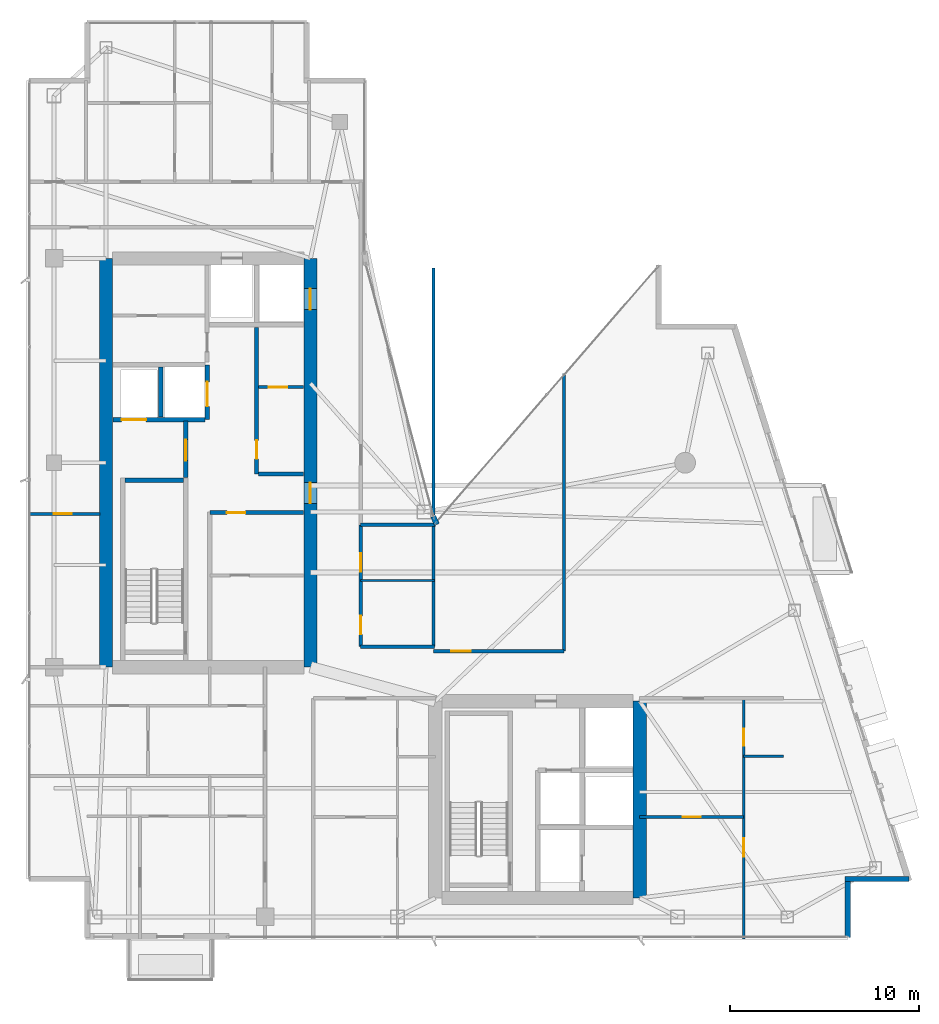
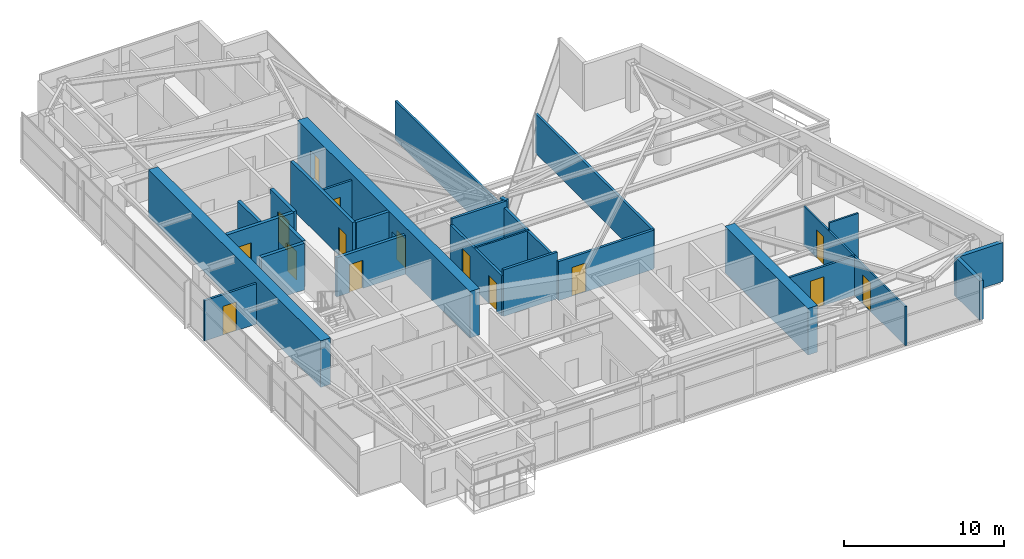
# One storey, part 25 of 29: 27 walls, 15 doors, 15 openings.
"""IFC4 building model written with IfcOpenShell, lengths in metres."""

from ifc_helpers import new_model, si_unit, direction, frame, frame_2d, origin, place, context, subcontext, project, spatial, rectangle, extrude, material, layer, layer_set, type_object, element, fill, save


model = new_model("IFC4")

# Units and contexts
model_context = context("Model", 3, precision=1e-05, world=origin(), true_north=direction((0.0, 1.0)))
body_context = subcontext(model_context, "Body", "Model", "MODEL_VIEW")
ifc_project = project(units=[si_unit("LENGTHUNIT", "METRE"), si_unit("AREAUNIT", "SQUARE_METRE"), si_unit("VOLUMEUNIT", "CUBIC_METRE"), si_unit("PLANEANGLEUNIT", "RADIAN"), si_unit("MASSUNIT", "GRAM", prefix="KILO")], contexts=[model_context])

# Site, building, storey
site_placement = place(None, origin())
site = spatial("IfcSite", under=ifc_project, at=site_placement, CompositionType="ELEMENT")
building_placement = place(site_placement, origin())
building = spatial("IfcBuilding", under=site, at=building_placement, Name="Calvorn Quay Hotel", CompositionType="ELEMENT")
storey_placement = place(building_placement, frame((0.0, 0.0, 255.199951171875)))
storey = spatial("IfcBuildingStorey", under=building, at=storey_placement, Name="L63", CompositionType="ELEMENT", Elevation=255.199951171875)

# Wall
ifc_material_1 = material(Name="Concrete C45", Category="concrete")
ifc_layer_1 = layer(ifc_material_1, 0.699951171875)
ifc_layer_set_1 = layer_set([ifc_layer_1], Name="WL-CORE-700")
wall_type_1 = type_object("IfcWallType", Name="WL-CORE-700", PredefinedType="SHEAR", material=ifc_layer_set_1)
wall_1_placement = place(storey_placement, frame((4.199951171875, 16.800048828125, 0.0), z_axis=(0.0, 0.0, 1.0), x_axis=(0.0, 1.0, 0.0)))
element("IfcWall", 1, at=wall_1_placement, inside=storey, type_object=wall_type_1, Name="West Core Shear Wall W (L63)", PredefinedType="SHEAR", context=body_context, shape_type="SweptSolid", body=[
    extrude(rectangle(XDim=21.599853515625, YDim=0.699951171875, at=frame_2d((10.7998046875, 0.0))), origin(), (0.0, 0.0, 1.0), 3.56005859375),
])

# Wall, openings, doors
wall_2_placement = place(storey_placement, frame((15.0, 16.800048828125, 0.0), z_axis=(0.0, 0.0, 1.0), x_axis=(0.0, 1.0, 0.0)))
wall_2 = element("IfcWall", 2, at=wall_2_placement, inside=storey, type_object=wall_type_1, Name="West Core Shear Wall E (L63)", PredefinedType="SHEAR", context=body_context, shape_type="SweptSolid", body=[
    extrude(rectangle(XDim=21.599853515625, YDim=0.699951171875, at=frame_2d((10.7998046875, 0.0))), origin(), (0.0, 0.0, 1.0), 3.56005859375),
])
opening_1_placement = place(wall_2_placement, frame((8.64990234375, 0.0, 0.0)))
opening_1 = element("IfcOpeningElement", 3, at=opening_1_placement, cuts=wall_2, Name="Opening D-L63-CW1", PredefinedType="OPENING", context=body_context, shape_type="SweptSolid", body=[
    extrude(rectangle(XDim=1.10009765625, YDim=2.199951171875, at=frame_2d((0.550048828125, 1.10009765625))), frame((0.0, 0.35986328125, 0.0), z_axis=(0.0, -1.0, 0.0), x_axis=(1.0, 0.0, 0.0)), (0.0, 0.0, 1.0), 0.719970703125),
])
opening_2_placement = place(wall_2_placement, frame((18.89990234375, 0.0, 0.0)))
opening_2 = element("IfcOpeningElement", 4, at=opening_2_placement, cuts=wall_2, Name="Opening LD-L63-H1", PredefinedType="OPENING", context=body_context, shape_type="SweptSolid", body=[
    extrude(rectangle(XDim=1.10009765625, YDim=2.199951171875, at=frame_2d((0.550048828125, 1.10009765625))), frame((0.0, 0.35986328125, 0.0), z_axis=(0.0, -1.0, 0.0), x_axis=(1.0, 0.0, 0.0)), (0.0, 0.0, 1.0), 0.719970703125),
])
ifc_material_2 = material(Name="Smoke-Sealed Steel Class A Fire Door", Category="steel")
door_type_1 = type_object("IfcDoorType", Name="DR-FFLOBBY-1100", OperationType="NOTDEFINED", PredefinedType="DOOR", material=ifc_material_2)
door_1_placement = place(opening_1_placement, origin())
door_1 = element("IfcDoor", 5, at=door_1_placement, inside=storey, type_object=door_type_1, Name="West Core Vestibule Fire Door (L63)", OperationType="SINGLE_SWING_RIGHT", OverallHeight=2.199951171875, OverallWidth=1.10009765625, PredefinedType="DOOR", context=body_context, shape_type="SweptSolid", body=[
    extrude(rectangle(XDim=1.10009765625, YDim=2.199951171875, at=frame_2d((0.550048828125, 1.10009765625))), frame((0.0, 0.02490234375, 0.0), z_axis=(0.0, -1.0, 0.0), x_axis=(1.0, 0.0, 0.0)), (0.0, 0.0, 1.0), 0.050048828125),
])
fill(opening_1, door_1)
ifc_material_3 = material(Name="Brushed Stainless Steel Sliding Lift Landing Door", Category="steel")
door_type_2 = type_object("IfcDoorType", Name="DR-LIFT-PASS-1100", OperationType="NOTDEFINED", PredefinedType="DOOR", material=ifc_material_3)
door_2_placement = place(opening_2_placement, origin())
door_2 = element("IfcDoor", 6, at=door_2_placement, inside=storey, type_object=door_type_2, Name="High-Rise Lift PL-H1 Landing Door (L63)", OperationType="DOUBLE_DOOR_SLIDING", OverallHeight=2.199951171875, OverallWidth=1.10009765625, PredefinedType="DOOR", context=body_context, shape_type="SweptSolid", body=[
    extrude(rectangle(XDim=1.10009765625, YDim=2.199951171875, at=frame_2d((0.550048828125, 1.10009765625))), frame((0.0, 0.02490234375, 0.0), z_axis=(0.0, -1.0, 0.0), x_axis=(1.0, 0.0, 0.0)), (0.0, 0.0, 1.0), 0.050048828125),
])
fill(opening_2, door_2)

# Walls
wall_3_placement = place(storey_placement, frame((32.39990234375, 4.60009765625, 0.0), z_axis=(0.0, 0.0, 1.0), x_axis=(0.0, 1.0, 0.0)))
element("IfcWall", 7, at=wall_3_placement, inside=storey, type_object=wall_type_1, Name="East Core Shear Wall E (L63)", PredefinedType="SHEAR", context=body_context, shape_type="SweptSolid", body=[
    extrude(rectangle(XDim=10.39990234375, YDim=0.699951171875, at=frame_2d((5.199951171875, 0.0))), origin(), (0.0, 0.0, 1.0), 3.56005859375),
])
ifc_material_4 = material(Name="Acoustic Fireboard Steel-Stud Partition", Category="steel")
ifc_layer_2 = layer(ifc_material_4, 0.179931640625)
ifc_layer_set_2 = layer_set([ifc_layer_2], Name="WL-CORR-FIRE-180")
wall_type_2 = type_object("IfcWallType", Name="WL-CORR-FIRE-180", PredefinedType="PARTITIONING", material=ifc_layer_set_2)
wall_4_placement = place(storey_placement, frame((17.64990234375, 17.8798828125, 0.0), z_axis=(0.0, 0.0, 1.0), x_axis=(1.0, 0.0, 0.0)))
element("IfcWall", 8, at=wall_4_placement, inside=storey, type_object=wall_type_2, Name="Partition Wall L63-WL-HK-S", PredefinedType="PARTITIONING", context=body_context, shape_type="SweptSolid", body=[
    extrude(rectangle(XDim=3.900146484375, YDim=0.179931640625, at=frame_2d((1.9501953125, 0.0))), origin(), (0.0, 0.0, 1.0), 3.56005859375),
])
wall_5_placement = place(storey_placement, frame((17.64990234375, 24.320068359375, 0.0), z_axis=(0.0, 0.0, 1.0), x_axis=(1.0, 0.0, 0.0)))
element("IfcWall", 9, at=wall_5_placement, inside=storey, type_object=wall_type_2, Name="Partition Wall L63-WL-HK-N", PredefinedType="PARTITIONING", context=body_context, shape_type="SweptSolid", body=[
    extrude(rectangle(XDim=3.9501953125, YDim=0.179931640625, at=frame_2d((1.97509765625, 0.0))), origin(), (0.0, 0.0, 1.0), 3.56005859375),
])
wall_6_placement = place(storey_placement, frame((21.5, 17.8798828125, 0.0), z_axis=(0.0, 0.0, 1.0), x_axis=(0.0, 1.0, 0.0)))
element("IfcWall", 10, at=wall_6_placement, inside=storey, type_object=wall_type_2, Name="Partition Wall L63-WL-HK-E", PredefinedType="PARTITIONING", context=body_context, shape_type="SweptSolid", body=[
    extrude(rectangle(XDim=6.440185546875, YDim=0.179931640625, at=frame_2d((3.22021484375, 0.0))), origin(), (0.0, 0.0, 1.0), 3.090087890625),
])

# Wall, openings, doors
wall_7_placement = place(storey_placement, frame((17.64990234375, 17.8798828125, 0.0), z_axis=(0.0, 0.0, 1.0), x_axis=(0.0, 1.0, 0.0)))
wall_7 = element("IfcWall", 11, at=wall_7_placement, inside=storey, type_object=wall_type_2, Name="Partition Wall L63-WL-HK-W", PredefinedType="PARTITIONING", context=body_context, shape_type="SweptSolid", body=[
    extrude(rectangle(XDim=6.440185546875, YDim=0.179931640625, at=frame_2d((3.22021484375, 0.0))), origin(), (0.0, 0.0, 1.0), 3.090087890625),
])
opening_3_placement = place(wall_7_placement, frame((0.64990234375, 0.0, 0.0)))
opening_3 = element("IfcOpeningElement", 12, at=opening_3_placement, cuts=wall_7, Name="Opening D-L63-HK", PredefinedType="OPENING", context=body_context, shape_type="SweptSolid", body=[
    extrude(rectangle(XDim=0.97998046875, YDim=2.14990234375, at=frame_2d((0.489990234375, 1.074951171875))), frame((0.0, 0.099853515625, 0.0), z_axis=(0.0, -1.0, 0.0), x_axis=(1.0, 0.0, 0.0)), (0.0, 0.0, 1.0), 0.199951171875),
])
opening_4_placement = place(wall_7_placement, frame((3.969970703125, 0.0, 0.0)))
opening_4 = element("IfcOpeningElement", 13, at=opening_4_placement, cuts=wall_7, Name="Opening D-L63-NCP", PredefinedType="OPENING", context=body_context, shape_type="SweptSolid", body=[
    extrude(rectangle(XDim=0.9599609375, YDim=2.199951171875, at=frame_2d((0.47998046875, 1.10009765625))), frame((0.0, 0.099853515625, 0.0), z_axis=(0.0, -1.0, 0.0), x_axis=(1.0, 0.0, 0.0)), (0.0, 0.0, 1.0), 0.199951171875),
])
ifc_material_5 = material(Name="Painted Steel Housekeeping/Riser Fire Door", Category="steel")
door_type_3 = type_object("IfcDoorType", Name="DR-SERVICE-980", OperationType="NOTDEFINED", PredefinedType="DOOR", material=ifc_material_5)
door_3_placement = place(opening_3_placement, origin())
door_3 = element("IfcDoor", 14, at=door_3_placement, inside=storey, type_object=door_type_3, Name="Floor Housekeeping Door (L63)", OperationType="SINGLE_SWING_LEFT", OverallHeight=2.14990234375, OverallWidth=0.97998046875, PredefinedType="DOOR", context=body_context, shape_type="SweptSolid", body=[
    extrude(rectangle(XDim=0.97998046875, YDim=2.14990234375, at=frame_2d((0.489990234375, 1.074951171875))), frame((0.0, 0.02490234375, 0.0), z_axis=(0.0, -1.0, 0.0), x_axis=(1.0, 0.0, 0.0)), (0.0, 0.0, 1.0), 0.050048828125),
])
fill(opening_3, door_3)
ifc_material_6 = material(Name="Solid Timber Internal Suite Door", Category="wood")
door_type_4 = type_object("IfcDoorType", Name="DR-SUITE-INT-960", OperationType="NOTDEFINED", PredefinedType="DOOR", material=ifc_material_6)
door_4_placement = place(opening_4_placement, origin())
door_4 = element("IfcDoor", 15, at=door_4_placement, inside=storey, type_object=door_type_4, Name="Reading Alcove Door (L63)", OperationType="SINGLE_SWING_RIGHT", OverallHeight=2.199951171875, OverallWidth=0.9599609375, PredefinedType="DOOR", context=body_context, shape_type="SweptSolid", body=[
    extrude(rectangle(XDim=0.9599609375, YDim=2.199951171875, at=frame_2d((0.47998046875, 1.10009765625))), frame((0.0, 0.02490234375, 0.0), z_axis=(0.0, -1.0, 0.0), x_axis=(1.0, 0.0, 0.0)), (0.0, 0.0, 1.0), 0.050048828125),
])
fill(opening_4, door_4)

# Wall, opening, door
wall_8_placement = place(storey_placement, frame((21.5, 17.64990234375, 0.0), z_axis=(0.0, 0.0, 1.0), x_axis=(1.0, 0.0, 0.0)))
wall_8 = element("IfcWall", 16, at=wall_8_placement, inside=storey, type_object=wall_type_2, Name="Partition Wall L63-WL-CORR-NE-N", PredefinedType="PARTITIONING", context=body_context, shape_type="SweptSolid", body=[
    extrude(rectangle(XDim=6.89990234375, YDim=0.179931640625, at=frame_2d((3.449951171875, 0.0))), origin(), (0.0, 0.0, 1.0), 2.989990234375),
])
opening_5_placement = place(wall_8_placement, frame((0.949951171875, 0.0, 0.0)))
opening_5 = element("IfcOpeningElement", 17, at=opening_5_placement, cuts=wall_8, Name="Opening D-L63-NS1", PredefinedType="OPENING", context=body_context, shape_type="SweptSolid", body=[
    extrude(rectangle(XDim=1.02001953125, YDim=2.199951171875, at=frame_2d((0.510009765625, 1.10009765625))), frame((0.0, 0.099853515625, 0.0), z_axis=(0.0, -1.0, 0.0), x_axis=(1.0, 0.0, 0.0)), (0.0, 0.0, 1.0), 0.199951171875),
])
ifc_material_7 = material(Name="Solid-Core Walnut Veneer Hotel Fire Door")
door_type_5 = type_object("IfcDoorType", Name="DR-GUEST-ENTRY-1020", OperationType="NOTDEFINED", PredefinedType="DOOR", material=ifc_material_7)
door_5_placement = place(opening_5_placement, origin())
door_5 = element("IfcDoor", 18, at=door_5_placement, inside=storey, type_object=door_type_5, Name="Conservatory Salon Door 1 (L63)", OperationType="SINGLE_SWING_RIGHT", OverallHeight=2.199951171875, OverallWidth=1.02001953125, PredefinedType="DOOR", context=body_context, shape_type="SweptSolid", body=[
    extrude(rectangle(XDim=1.02001953125, YDim=2.199951171875, at=frame_2d((0.510009765625, 1.10009765625))), frame((0.0, 0.02490234375, 0.0), z_axis=(0.0, -1.0, 0.0), x_axis=(1.0, 0.0, 0.0)), (0.0, 0.0, 1.0), 0.050048828125),
])
fill(opening_5, door_5)

# Walls
wall_9_placement = place(storey_placement, frame((28.39990234375, 17.64990234375, 0.0), z_axis=(0.0, 0.0, 1.0), x_axis=(0.0, 1.0, 0.0)))
element("IfcWall", 19, at=wall_9_placement, inside=storey, type_object=wall_type_2, Name="Partition Wall L63-WL-NE-END-E", PredefinedType="PARTITIONING", context=body_context, shape_type="SweptSolid", body=[
    extrude(rectangle(XDim=14.670166015625, YDim=0.179931640625, at=frame_2d((7.3349609375, 0.0))), origin(), (0.0, 0.0, 1.0), 2.989990234375),
])
ifc_material_8 = material(Name="Moisture-Resistant Tile-Backed Partition")
ifc_layer_3 = layer(ifc_material_8, 0.125)
ifc_layer_set_3 = layer_set([ifc_layer_3], Name="WL-ENSUITE-125")
wall_type_3 = type_object("IfcWallType", Name="WL-ENSUITE-125", PredefinedType="PARTITIONING", material=ifc_layer_set_3)
wall_10_placement = place(storey_placement, frame((17.64990234375, 21.3798828125, 0.0), z_axis=(0.0, 0.0, 1.0), x_axis=(1.0, 0.0, 0.0)))
element("IfcWall", 20, at=wall_10_placement, inside=storey, type_object=wall_type_3, Name="Partition Wall L63-WL-HK-M", PredefinedType="PARTITIONING", context=body_context, shape_type="SweptSolid", body=[
    extrude(rectangle(XDim=3.900146484375, YDim=0.125, at=frame_2d((1.9501953125, 0.0))), origin(), (0.0, 0.0, 1.0), 3.090087890625),
])
wall_11_placement = place(storey_placement, frame((37.889892578125, 12.10009765625, 0.0), z_axis=(0.0, 0.0, 1.0), x_axis=(1.0, 0.0, 0.0)))
element("IfcWall", 21, at=wall_11_placement, inside=storey, type_object=wall_type_3, Name="Partition Wall L63-WL-U06-BDV", PredefinedType="PARTITIONING", context=body_context, shape_type="SweptSolid", body=[
    extrude(rectangle(XDim=2.110107421875, YDim=0.125, at=frame_2d((1.05517578125, 0.0))), origin(), (0.0, 0.0, 1.0), 3.56005859375),
])

# Wall, openings, doors
wall_12_placement = place(storey_placement, frame((37.889892578125, 2.43994140625, 0.0), z_axis=(0.0, 0.0, 1.0), x_axis=(0.0, 1.0, 0.0)))
wall_12 = element("IfcWall", 22, at=wall_12_placement, inside=storey, type_object=wall_type_3, Name="Partition Wall L63-WL-U06-BV", PredefinedType="PARTITIONING", context=body_context, shape_type="SweptSolid", body=[
    extrude(rectangle(XDim=12.7099609375, YDim=0.125, at=frame_2d((6.35498046875, 0.0))), origin(), (0.0, 0.0, 1.0), 2.989990234375),
])
opening_6_placement = place(wall_12_placement, frame((4.35009765625, 0.0, 0.0)))
opening_6 = element("IfcOpeningElement", 23, at=opening_6_placement, cuts=wall_12, Name="Opening D-L63-S06", PredefinedType="OPENING", context=body_context, shape_type="SweptSolid", body=[
    extrude(rectangle(XDim=0.9599609375, YDim=2.199951171875, at=frame_2d((0.47998046875, 1.10009765625))), frame((0.0, 0.072509765625, 0.0), z_axis=(0.0, -1.0, 0.0), x_axis=(1.0, 0.0, 0.0)), (0.0, 0.0, 1.0), 0.14501953125),
])
opening_7_placement = place(wall_12_placement, frame((10.2099609375, 0.0, 0.0)))
opening_7 = element("IfcOpeningElement", 24, at=opening_7_placement, cuts=wall_12, Name="Opening D-L63-E06", PredefinedType="OPENING", context=body_context, shape_type="SweptSolid", body=[
    extrude(rectangle(XDim=0.89990234375, YDim=2.14990234375, at=frame_2d((0.449951171875, 1.074951171875))), frame((0.0, 0.072509765625, 0.0), z_axis=(0.0, -1.0, 0.0), x_axis=(1.0, 0.0, 0.0)), (0.0, 0.0, 1.0), 0.14501953125),
])
ifc_material_9 = material(Name="Moisture-Sealed Timber En-Suite Door", Category="wood")
door_type_6 = type_object("IfcDoorType", Name="DR-ENSUITE-900", OperationType="NOTDEFINED", PredefinedType="DOOR", material=ifc_material_9)
door_6_placement = place(opening_7_placement, origin())
door_6 = element("IfcDoor", 25, at=door_6_placement, inside=storey, type_object=door_type_6, Name="En-Suite Door 06", OperationType="SINGLE_SWING_RIGHT", OverallHeight=2.14990234375, OverallWidth=0.89990234375, PredefinedType="DOOR", context=body_context, shape_type="SweptSolid", body=[
    extrude(rectangle(XDim=0.89990234375, YDim=2.14990234375, at=frame_2d((0.449951171875, 1.074951171875))), frame((0.0, 0.02490234375, 0.0), z_axis=(0.0, -1.0, 0.0), x_axis=(1.0, 0.0, 0.0)), (0.0, 0.0, 1.0), 0.050048828125),
])
fill(opening_7, door_6)
door_7_placement = place(opening_6_placement, origin())
door_7 = element("IfcDoor", 26, at=door_7_placement, inside=storey, type_object=door_type_4, Name="Children Play Nursery Door 06", OperationType="SINGLE_SWING_LEFT", OverallHeight=2.199951171875, OverallWidth=0.9599609375, PredefinedType="DOOR", context=body_context, shape_type="SweptSolid", body=[
    extrude(rectangle(XDim=0.9599609375, YDim=2.199951171875, at=frame_2d((0.47998046875, 1.10009765625))), frame((0.0, 0.02490234375, 0.0), z_axis=(0.0, -1.0, 0.0), x_axis=(1.0, 0.0, 0.0)), (0.0, 0.0, 1.0), 0.050048828125),
])
fill(opening_6, door_7)

# Walls
ifc_material_10 = material(Name="Concrete C40", Category="concrete")
ifc_layer_4 = layer(ifc_material_10, 0.320068359375)
ifc_layer_set_4 = layer_set([ifc_layer_4], Name="WL-EXT-SPANDREL-320")
wall_type_4 = type_object("IfcWallType", Name="WL-EXT-SPANDREL-320", PredefinedType="SOLIDWALL", material=ifc_layer_set_4)
wall_13_placement = place(storey_placement, frame((21.679931640625, 24.340087890625, 0.0), z_axis=(0.0, 0.0, 1.0), x_axis=(-0.40758134973, 0.913168901875, 0.0)))
element("IfcWall", 27, at=wall_13_placement, inside=storey, type_object=wall_type_4, Name="Inner Court Corner Pier L63-ICJ1", PredefinedType="SOLIDWALL", context=body_context, shape_type="SweptSolid", body=[
    extrude(rectangle(XDim=0.470703125, YDim=0.280029296875, at=frame_2d((0.2353515625, 0.0))), origin(), (0.0, 0.0, 1.0), 3.56005859375),
])
wall_14_placement = place(storey_placement, frame((43.39990234375, 2.52001953125, 0.0), z_axis=(0.0, 0.0, 1.0), x_axis=(0.0, 1.0, 0.0)))
element("IfcWall", 28, at=wall_14_placement, inside=storey, type_object=wall_type_4, Name="Notched Corner Spandrel L63-SE1", PredefinedType="SOLIDWALL", context=body_context, shape_type="SweptSolid", body=[
    extrude(rectangle(XDim=2.93994140625, YDim=0.280029296875, at=frame_2d((1.469970703125, 0.0))), origin(), (0.0, 0.0, 1.0), 2.989990234375),
])
wall_15_placement = place(storey_placement, frame((43.260009765625, 5.60009765625, 0.0), z_axis=(0.0, 0.0, 1.0), x_axis=(1.0, 0.0, 0.0)))
element("IfcWall", 29, at=wall_15_placement, inside=storey, type_object=wall_type_4, Name="Notched Corner Spandrel L63-SE2", PredefinedType="SOLIDWALL", context=body_context, shape_type="SweptSolid", body=[
    extrude(rectangle(XDim=3.3798828125, YDim=0.280029296875, at=frame_2d((1.68994140625, 0.0))), origin(), (0.0, 0.0, 1.0), 2.989990234375),
])

# Wall, opening, door
ifc_material_11 = material(Name="Double-Stud Acoustic Gypsum Partition")
ifc_layer_5 = layer(ifc_material_11, 0.159912109375)
ifc_layer_set_5 = layer_set([ifc_layer_5], Name="WL-INTERSUITE-160")
wall_type_5 = type_object("IfcWallType", Name="WL-INTERSUITE-160", PredefinedType="PARTITIONING", material=ifc_layer_set_5)
wall_16_placement = place(storey_placement, frame((12.25, 31.60009765625, 0.0), z_axis=(0.0, 0.0, 1.0), x_axis=(1.0, 0.0, 0.0)))
wall_16 = element("IfcWall", 30, at=wall_16_placement, inside=storey, type_object=wall_type_5, Name="Partition Wall L63-WL-CWW-FM-SPLIT", PredefinedType="PARTITIONING", context=body_context, shape_type="SweptSolid", body=[
    extrude(rectangle(XDim=2.3798828125, YDim=0.159912109375, at=frame_2d((1.18994140625, 0.0))), origin(), (0.0, 0.0, 1.0), 3.14013671875),
])
opening_8_placement = place(wall_16_placement, frame((0.550048828125, 0.0, 0.0)))
opening_8 = element("IfcOpeningElement", 31, at=opening_8_placement, cuts=wall_16, Name="Opening D-L63-FM2", PredefinedType="OPENING", context=body_context, shape_type="SweptSolid", body=[
    extrude(rectangle(XDim=0.97998046875, YDim=2.14990234375, at=frame_2d((0.489990234375, 1.074951171875))), frame((0.0, 0.08984375, 0.0), z_axis=(0.0, -1.0, 0.0), x_axis=(1.0, 0.0, 0.0)), (0.0, 0.0, 1.0), 0.179931640625),
])
door_8_placement = place(opening_8_placement, origin())
door_8 = element("IfcDoor", 32, at=door_8_placement, inside=storey, type_object=door_type_3, Name="Comms Room Door (L63)", OperationType="SINGLE_SWING_LEFT", OverallHeight=2.14990234375, OverallWidth=0.97998046875, PredefinedType="DOOR", context=body_context, shape_type="SweptSolid", body=[
    extrude(rectangle(XDim=0.97998046875, YDim=2.14990234375, at=frame_2d((0.489990234375, 1.074951171875))), frame((0.0, 0.02490234375, 0.0), z_axis=(0.0, -1.0, 0.0), x_axis=(1.0, 0.0, 0.0)), (0.0, 0.0, 1.0), 0.050048828125),
])
fill(opening_8, door_8)

wall_17_placement = place(storey_placement, frame((0.080078125, 24.89990234375, 0.0), z_axis=(0.0, 0.0, 1.0), x_axis=(1.0, 0.0, 0.0)))
wall_17 = element("IfcWall", 33, at=wall_17_placement, inside=storey, type_object=wall_type_5, Name="Partition Wall L63-WL-WBAY-DIV", PredefinedType="PARTITIONING", context=body_context, shape_type="SweptSolid", body=[
    extrude(rectangle(XDim=3.7998046875, YDim=0.159912109375, at=frame_2d((1.89990234375, 0.0))), origin(), (0.0, 0.0, 1.0), 3.090087890625),
])
opening_9_placement = place(wall_17_placement, frame((1.35009765625, 0.0, 0.0)))
opening_9 = element("IfcOpeningElement", 34, at=opening_9_placement, cuts=wall_17, Name="Opening D-L63-WBD", PredefinedType="OPENING", context=body_context, shape_type="SweptSolid", body=[
    extrude(rectangle(XDim=0.9599609375, YDim=2.199951171875, at=frame_2d((0.47998046875, 1.10009765625))), frame((0.0, 0.08984375, 0.0), z_axis=(0.0, -1.0, 0.0), x_axis=(1.0, 0.0, 0.0)), (0.0, 0.0, 1.0), 0.179931640625),
])
door_9_placement = place(opening_9_placement, origin())
door_9 = element("IfcDoor", 35, at=door_9_placement, inside=storey, type_object=door_type_4, Name="West Bay Connecting Door (L63)", OperationType="SINGLE_SWING_LEFT", OverallHeight=2.199951171875, OverallWidth=0.9599609375, PredefinedType="DOOR", context=body_context, shape_type="SweptSolid", body=[
    extrude(rectangle(XDim=0.9599609375, YDim=2.199951171875, at=frame_2d((0.47998046875, 1.10009765625))), frame((0.0, 0.02490234375, 0.0), z_axis=(0.0, -1.0, 0.0), x_axis=(1.0, 0.0, 0.0)), (0.0, 0.0, 1.0), 0.050048828125),
])
fill(opening_9, door_9)

wall_18_placement = place(storey_placement, frame((32.39990234375, 8.8798828125, 0.0), z_axis=(0.0, 0.0, 1.0), x_axis=(1.0, 0.0, 0.0)))
wall_18 = element("IfcWall", 36, at=wall_18_placement, inside=storey, type_object=wall_type_5, Name="Partition Wall L63-WL-U06-MSP", PredefinedType="PARTITIONING", context=body_context, shape_type="SweptSolid", body=[
    extrude(rectangle(XDim=5.489990234375, YDim=0.159912109375, at=frame_2d((2.7451171875, 0.0))), origin(), (0.0, 0.0, 1.0), 2.989990234375),
])
opening_10_placement = place(wall_18_placement, frame((2.27001953125, 0.0, 0.0)))
opening_10 = element("IfcOpeningElement", 37, at=opening_10_placement, cuts=wall_18, Name="Opening D-L63-M06", PredefinedType="OPENING", context=body_context, shape_type="SweptSolid", body=[
    extrude(rectangle(XDim=0.9599609375, YDim=2.199951171875, at=frame_2d((0.47998046875, 1.10009765625))), frame((0.0, 0.08984375, 0.0), z_axis=(0.0, -1.0, 0.0), x_axis=(1.0, 0.0, 0.0)), (0.0, 0.0, 1.0), 0.179931640625),
])
door_10_placement = place(opening_10_placement, origin())
door_10 = element("IfcDoor", 38, at=door_10_placement, inside=storey, type_object=door_type_4, Name="Suite Bedroom Door 06", OperationType="SINGLE_SWING_LEFT", OverallHeight=2.199951171875, OverallWidth=0.9599609375, PredefinedType="DOOR", context=body_context, shape_type="SweptSolid", body=[
    extrude(rectangle(XDim=0.9599609375, YDim=2.199951171875, at=frame_2d((0.47998046875, 1.10009765625))), frame((0.0, 0.02490234375, 0.0), z_axis=(0.0, -1.0, 0.0), x_axis=(1.0, 0.0, 0.0)), (0.0, 0.0, 1.0), 0.050048828125),
])
fill(opening_10, door_10)

# Wall
wall_19_placement = place(storey_placement, frame((21.5, 24.85009765625, 0.0), z_axis=(0.0, 0.0, 1.0), x_axis=(0.0, 1.0, 0.0)))
element("IfcWall", 39, at=wall_19_placement, inside=storey, type_object=wall_type_5, Name="Partition Wall L63-WL-NC-UPPER-E", PredefinedType="PARTITIONING", context=body_context, shape_type="SweptSolid", body=[
    extrude(rectangle(XDim=13.0498046875, YDim=0.159912109375, at=frame_2d((6.52490234375, 0.0))), origin(), (0.0, 0.0, 1.0), 2.989990234375),
])

# Wall, opening, door
ifc_material_12 = material(Name="Autoclaved Aerated Masonry Block", Category="masonry")
ifc_layer_6 = layer(ifc_material_12, 0.219970703125)
ifc_layer_set_6 = layer_set([ifc_layer_6], Name="WL-LOBBY-FIRE-220")
wall_type_6 = type_object("IfcWallType", Name="WL-LOBBY-FIRE-220", PredefinedType="SOLIDWALL", material=ifc_layer_set_6)
wall_20_placement = place(storey_placement, frame((9.679931640625, 24.969970703125, 0.0), z_axis=(0.0, 0.0, 1.0), x_axis=(1.0, 0.0, 0.0)))
wall_20 = element("IfcWall", 40, at=wall_20_placement, inside=storey, type_object=wall_type_6, Name="Partition Wall L63-WL-CWW-FR-N", PredefinedType="SOLIDWALL", context=body_context, shape_type="SweptSolid", body=[
    extrude(rectangle(XDim=4.949951171875, YDim=0.219970703125, at=frame_2d((2.47509765625, 0.0))), origin(), (0.0, 0.0, 1.0), 2.989990234375),
])
opening_11_placement = place(wall_20_placement, frame((0.89990234375, 0.0, 0.0)))
opening_11 = element("IfcOpeningElement", 41, at=opening_11_placement, cuts=wall_20, Name="Opening D-L63-FRL2", PredefinedType="OPENING", context=body_context, shape_type="SweptSolid", body=[
    extrude(rectangle(XDim=0.97998046875, YDim=2.14990234375, at=frame_2d((0.489990234375, 1.074951171875))), frame((0.0, 0.119873046875, 0.0), z_axis=(0.0, -1.0, 0.0), x_axis=(1.0, 0.0, 0.0)), (0.0, 0.0, 1.0), 0.239990234375),
])
door_11_placement = place(opening_11_placement, origin())
door_11 = element("IfcDoor", 42, at=door_11_placement, inside=storey, type_object=door_type_3, Name="Beverage Pantry Door (L63)", OperationType="SINGLE_SWING_RIGHT", OverallHeight=2.14990234375, OverallWidth=0.97998046875, PredefinedType="DOOR", context=body_context, shape_type="SweptSolid", body=[
    extrude(rectangle(XDim=0.97998046875, YDim=2.14990234375, at=frame_2d((0.489990234375, 1.074951171875))), frame((0.0, 0.02490234375, 0.0), z_axis=(0.0, -1.0, 0.0), x_axis=(1.0, 0.0, 0.0)), (0.0, 0.0, 1.0), 0.050048828125),
])
fill(opening_11, door_11)

# Wall
wall_21_placement = place(storey_placement, frame((12.25, 27.0, 0.0), z_axis=(0.0, 0.0, 1.0), x_axis=(1.0, 0.0, 0.0)))
element("IfcWall", 43, at=wall_21_placement, inside=storey, type_object=wall_type_6, Name="Partition Wall L63-WL-CWW-FM-S", PredefinedType="SOLIDWALL", context=body_context, shape_type="SweptSolid", body=[
    extrude(rectangle(XDim=2.3798828125, YDim=0.219970703125, at=frame_2d((1.18994140625, 0.0))), origin(), (0.0, 0.0, 1.0), 3.56005859375),
])

# Wall, opening, door
wall_22_placement = place(storey_placement, frame((12.14990234375, 27.0, 0.0), z_axis=(0.0, 0.0, 1.0), x_axis=(0.0, 1.0, 0.0)))
wall_22 = element("IfcWall", 44, at=wall_22_placement, inside=storey, type_object=wall_type_6, Name="Partition Wall L63-WL-CWW-FM-W", PredefinedType="SOLIDWALL", context=body_context, shape_type="SweptSolid", body=[
    extrude(rectangle(XDim=7.75, YDim=0.219970703125, at=frame_2d((3.875, 0.0))), origin(), (0.0, 0.0, 1.0), 3.56005859375),
])
opening_12_placement = place(wall_22_placement, frame((0.800048828125, 0.0, 0.0)))
opening_12 = element("IfcOpeningElement", 45, at=opening_12_placement, cuts=wall_22, Name="Opening D-L63-FM1", PredefinedType="OPENING", context=body_context, shape_type="SweptSolid", body=[
    extrude(rectangle(XDim=0.97998046875, YDim=2.14990234375, at=frame_2d((0.489990234375, 1.074951171875))), frame((0.0, 0.119873046875, 0.0), z_axis=(0.0, -1.0, 0.0), x_axis=(1.0, 0.0, 0.0)), (0.0, 0.0, 1.0), 0.239990234375),
])
door_12_placement = place(opening_12_placement, origin())
door_12 = element("IfcDoor", 46, at=door_12_placement, inside=storey, type_object=door_type_3, Name="Butler Pantry Door (L63)", OperationType="SINGLE_SWING_RIGHT", OverallHeight=2.14990234375, OverallWidth=0.97998046875, PredefinedType="DOOR", context=body_context, shape_type="SweptSolid", body=[
    extrude(rectangle(XDim=0.97998046875, YDim=2.14990234375, at=frame_2d((0.489990234375, 1.074951171875))), frame((0.0, 0.02490234375, 0.0), z_axis=(0.0, -1.0, 0.0), x_axis=(1.0, 0.0, 0.0)), (0.0, 0.0, 1.0), 0.050048828125),
])
fill(opening_12, door_12)

# Wall
ifc_material_13 = material(Name="Concrete C40", Category="concrete")
ifc_layer_7 = layer(ifc_material_13, 0.239990234375)
ifc_layer_set_7 = layer_set([ifc_layer_7], Name="WL-SHAFT-240")
wall_type_7 = type_object("IfcWallType", Name="WL-SHAFT-240", PredefinedType="SOLIDWALL", material=ifc_layer_set_7)
wall_23_placement = place(storey_placement, frame((5.199951171875, 26.669921875, 0.0), z_axis=(0.0, 0.0, 1.0), x_axis=(1.0, 0.0, 0.0)))
element("IfcWall", 47, at=wall_23_placement, inside=storey, type_object=wall_type_7, Name="Stair STW Shaft Wall N (L63)", PredefinedType="SOLIDWALL", context=body_context, shape_type="SweptSolid", body=[
    extrude(rectangle(XDim=3.10009765625, YDim=0.239990234375, at=frame_2d((1.550048828125, 0.0))), origin(), (0.0, 0.0, 1.0), 3.56005859375),
])

# Wall, opening, door
wall_24_placement = place(storey_placement, frame((8.419921875, 26.820068359375, 0.0), z_axis=(0.0, 0.0, 1.0), x_axis=(0.0, 1.0, 0.0)))
wall_24 = element("IfcWall", 48, at=wall_24_placement, inside=storey, type_object=wall_type_7, Name="Partition Wall L63-WL-CWW-FFL-E", PredefinedType="SOLIDWALL", context=body_context, shape_type="SweptSolid", body=[
    extrude(rectangle(XDim=3.0, YDim=0.239990234375, at=frame_2d((1.5, 0.0))), origin(), (0.0, 0.0, 1.0), 3.56005859375),
])
opening_13_placement = place(wall_24_placement, frame((0.89990234375, 0.0, 0.0)))
opening_13 = element("IfcOpeningElement", 49, at=opening_13_placement, cuts=wall_24, Name="Opening D-L63-FLW", PredefinedType="OPENING", context=body_context, shape_type="SweptSolid", body=[
    extrude(rectangle(XDim=1.10009765625, YDim=2.199951171875, at=frame_2d((0.550048828125, 1.10009765625))), frame((0.0, 0.1298828125, 0.0), z_axis=(0.0, -1.0, 0.0), x_axis=(1.0, 0.0, 0.0)), (0.0, 0.0, 1.0), 0.260009765625),
])
door_13_placement = place(opening_13_placement, origin())
door_13 = element("IfcDoor", 50, at=door_13_placement, inside=storey, type_object=door_type_1, Name="West Firefighting Lobby Fire Door (L63)", OperationType="SINGLE_SWING_RIGHT", OverallHeight=2.199951171875, OverallWidth=1.10009765625, PredefinedType="DOOR", context=body_context, shape_type="SweptSolid", body=[
    extrude(rectangle(XDim=1.10009765625, YDim=2.199951171875, at=frame_2d((0.550048828125, 1.10009765625))), frame((0.0, 0.02490234375, 0.0), z_axis=(0.0, -1.0, 0.0), x_axis=(1.0, 0.0, 0.0)), (0.0, 0.0, 1.0), 0.050048828125),
])
fill(opening_13, door_13)

wall_25_placement = place(storey_placement, frame((4.570068359375, 29.8798828125, 0.0), z_axis=(0.0, 0.0, 1.0), x_axis=(1.0, 0.0, 0.0)))
wall_25 = element("IfcWall", 51, at=wall_25_placement, inside=storey, type_object=wall_type_7, Name="Partition Wall L63-WL-CWW-FLW-S", PredefinedType="SOLIDWALL", context=body_context, shape_type="SweptSolid", body=[
    extrude(rectangle(XDim=4.849853515625, YDim=0.239990234375, at=frame_2d((2.4248046875, 0.0))), origin(), (0.0, 0.0, 1.0), 3.56005859375),
])
opening_14_placement = place(wall_25_placement, frame((0.449951171875, 0.0, 0.0)))
opening_14 = element("IfcOpeningElement", 52, at=opening_14_placement, cuts=wall_25, Name="Opening LD-L63-FLW1", PredefinedType="OPENING", context=body_context, shape_type="SweptSolid", body=[
    extrude(rectangle(XDim=1.300048828125, YDim=2.35009765625, at=frame_2d((0.64990234375, 1.175048828125))), frame((0.0, 0.1298828125, 0.0), z_axis=(0.0, -1.0, 0.0), x_axis=(1.0, 0.0, 0.0)), (0.0, 0.0, 1.0), 0.260009765625),
])
ifc_material_14 = material(Name="Champagne-Bronze Sliding Express Lift Landing Door")
door_type_7 = type_object("IfcDoorType", Name="DR-LIFT-SHUTTLE-1300", OperationType="NOTDEFINED", PredefinedType="DOOR", material=ifc_material_14)
door_14_placement = place(opening_14_placement, origin())
door_14 = element("IfcDoor", 53, at=door_14_placement, inside=storey, type_object=door_type_7, Name="Firefighting Lift FL-W1 Landing Door (L63)", OperationType="DOUBLE_DOOR_SLIDING", OverallHeight=2.35009765625, OverallWidth=1.300048828125, PredefinedType="DOOR", context=body_context, shape_type="SweptSolid", body=[
    extrude(rectangle(XDim=1.300048828125, YDim=2.35009765625, at=frame_2d((0.64990234375, 1.175048828125))), frame((0.0, 0.02490234375, 0.0), z_axis=(0.0, -1.0, 0.0), x_axis=(1.0, 0.0, 0.0)), (0.0, 0.0, 1.0), 0.050048828125),
])
fill(opening_14, door_14)

# Wall
wall_26_placement = place(storey_placement, frame((7.10009765625, 30.02001953125, 0.0), z_axis=(0.0, 0.0, 1.0), x_axis=(0.0, 1.0, 0.0)))
element("IfcWall", 54, at=wall_26_placement, inside=storey, type_object=wall_type_7, Name="Partition Wall L63-WL-CWW-FLW-DIV", PredefinedType="SOLIDWALL", context=body_context, shape_type="SweptSolid", body=[
    extrude(rectangle(XDim=2.6298828125, YDim=0.239990234375, at=frame_2d((1.31494140625, 0.0))), origin(), (0.0, 0.0, 1.0), 3.56005859375),
])

# Wall, opening, door
wall_27_placement = place(storey_placement, frame((9.5400390625, 29.8798828125, 0.0), z_axis=(0.0, 0.0, 1.0), x_axis=(0.0, 1.0, 0.0)))
wall_27 = element("IfcWall", 55, at=wall_27_placement, inside=storey, type_object=wall_type_7, Name="Partition Wall L63-WL-CWW-SLW-E", PredefinedType="SOLIDWALL", context=body_context, shape_type="SweptSolid", body=[
    extrude(rectangle(XDim=2.900146484375, YDim=0.239990234375, at=frame_2d((1.4501953125, 0.0))), origin(), (0.0, 0.0, 1.0), 3.56005859375),
])
opening_15_placement = place(wall_27_placement, frame((0.699951171875, 0.0, 0.0)))
opening_15 = element("IfcOpeningElement", 56, at=opening_15_placement, cuts=wall_27, Name="Opening LD-L63-SLW1", PredefinedType="OPENING", context=body_context, shape_type="SweptSolid", body=[
    extrude(rectangle(XDim=1.300048828125, YDim=2.35009765625, at=frame_2d((0.64990234375, 1.175048828125))), frame((0.0, 0.1298828125, 0.0), z_axis=(0.0, -1.0, 0.0), x_axis=(1.0, 0.0, 0.0)), (0.0, 0.0, 1.0), 0.260009765625),
])
door_15_placement = place(opening_15_placement, origin())
door_15 = element("IfcDoor", 57, at=door_15_placement, inside=storey, type_object=door_type_7, Name="Service Lift SL-W1 Landing Door (L63)", OperationType="DOUBLE_DOOR_SLIDING", OverallHeight=2.35009765625, OverallWidth=1.300048828125, PredefinedType="DOOR", context=body_context, shape_type="SweptSolid", body=[
    extrude(rectangle(XDim=1.300048828125, YDim=2.35009765625, at=frame_2d((0.64990234375, 1.175048828125))), frame((0.0, 0.02490234375, 0.0), z_axis=(0.0, -1.0, 0.0), x_axis=(1.0, 0.0, 0.0)), (0.0, 0.0, 1.0), 0.050048828125),
])
fill(opening_15, door_15)

save(model, "model.ifc")
